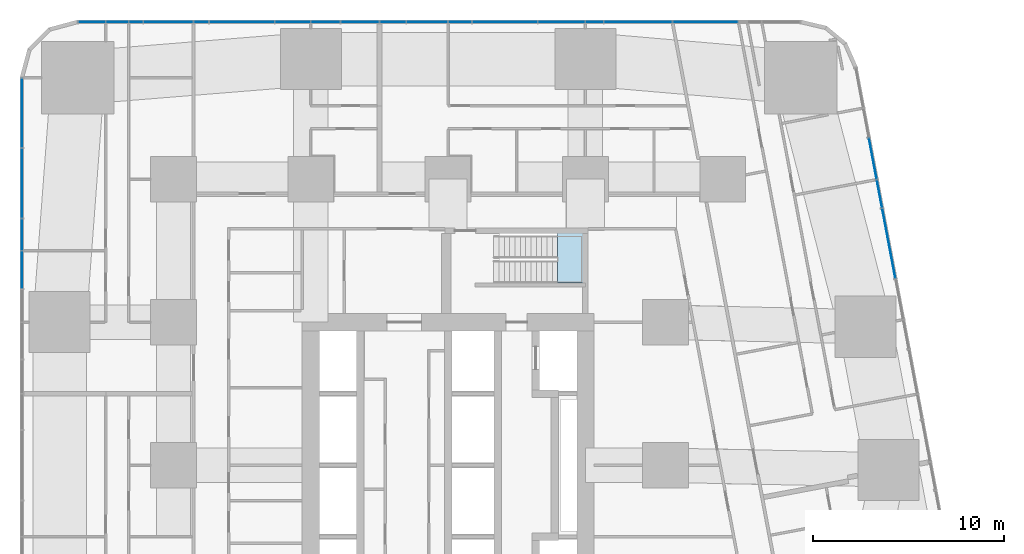
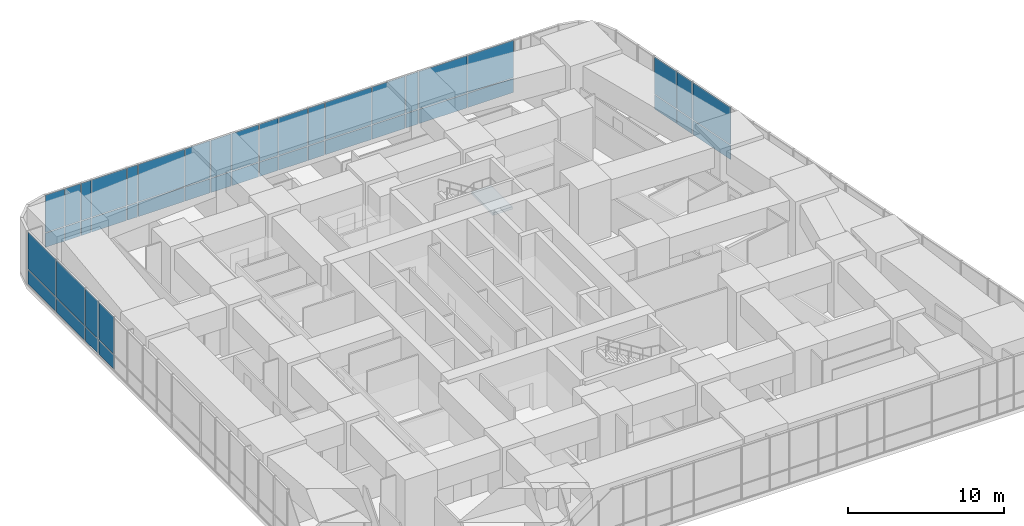
# One storey, part 12 of 22: 48 plates, 1 slab, 4 elements without a shape of their own.
"""IFC4 building model written with IfcOpenShell, lengths in metres."""

from ifc_helpers import new_model, si_unit, direction, frame, origin, origin_2d, place, context, subcontext, project, spatial, polyline, rectangle, outline, extrude, material, layer, layer_set, type_object, element, aggregate, save


model = new_model("IFC4")

# Units and contexts
model_context = context("Model", 3, precision=1e-05, world=origin(), true_north=direction((0.0, 1.0)))
body_context = subcontext(model_context, "Body", "Model", "MODEL_VIEW")
ifc_project = project(units=[si_unit("LENGTHUNIT", "METRE"), si_unit("AREAUNIT", "SQUARE_METRE"), si_unit("VOLUMEUNIT", "CUBIC_METRE"), si_unit("PLANEANGLEUNIT", "RADIAN"), si_unit("MASSUNIT", "GRAM", prefix="KILO")], contexts=[model_context])

# Site, building, storey
site_placement = place(None, origin())
site = spatial("IfcSite", under=ifc_project, at=site_placement, CompositionType="ELEMENT")
building_placement = place(site_placement, origin())
building = spatial("IfcBuilding", under=site, at=building_placement, Name="Sheger Commons Tower", CompositionType="ELEMENT")
storey_placement = place(building_placement, frame((0.0, 0.0, 10.10009765625)))
storey = spatial("IfcBuildingStorey", under=building, at=storey_placement, Name="L02", CompositionType="ELEMENT", Elevation=10.10009765625)

# Curtain wall, plates
ifc_material_1 = material(Name="Black aluminium curtain wall, dark tinted glazing", Category="aluminium")
curtain_wall_type = type_object("IfcCurtainWallType", Name="CURTAIN WALL CW2 HEALTH CENTRE", PredefinedType="USERDEFINED", material=ifc_material_1)
curtain_wall_1_placement = place(storey_placement, origin())
curtain_wall_1 = element("IfcCurtainWall", 1, at=curtain_wall_1_placement, inside=storey, type_object=curtain_wall_type, Name="Curtain Wall Cw2 Health Centre E1 L02", ObjectType="STICK CURTAIN WALL", PredefinedType="USERDEFINED")
ifc_material_2 = material(Name="Dark tinted double glazing", Category="glass")
ifc_layer_1 = layer(ifc_material_2, 0.031982421875)
ifc_layer_set_1 = layer_set([ifc_layer_1], Name="GLAZED PANEL 32")
plate_type = type_object("IfcPlateType", Name="GLAZED PANEL 32", PredefinedType="CURTAIN_PANEL", material=ifc_layer_set_1)
plate_1_placement = place(storey_placement, frame((44.716064453125, 34.1328125, 0.06494140625), z_axis=(0.0, 0.0, 1.0), x_axis=(-0.185609884918, 0.982623514181, 0.0)))
plate_1 = element("IfcPlate", 2, at=plate_1_placement, type_object=plate_type, Name="CW2 panel 15.1", PredefinedType="CURTAIN_PANEL", context=body_context, shape_type="SweptSolid", body=[
    extrude(rectangle(XDim=3.697998046875, YDim=0.031982421875, at=origin_2d()), origin(), (0.0, 0.0, 1.0), 1.1025390625),
])
plate_2_placement = place(storey_placement, frame((44.716064453125, 34.1328125, 1.232421875), z_axis=(0.0, 0.0, 1.0), x_axis=(-0.185609884918, 0.982623514181, 0.0)))
plate_2 = element("IfcPlate", 3, at=plate_2_placement, type_object=plate_type, Name="CW2 panel 15.2", PredefinedType="CURTAIN_PANEL", context=body_context, shape_type="SweptSolid", body=[
    extrude(rectangle(XDim=3.697998046875, YDim=0.031982421875, at=origin_2d()), origin(), (0.0, 0.0, 1.0), 2.902587890625),
])
plate_3_placement = place(storey_placement, frame((44.225341796875, 36.731201171875, 0.06494140625), z_axis=(0.0, 0.0, 1.0), x_axis=(-0.185609884918, 0.982623514181, 0.0)))
plate_3 = element("IfcPlate", 4, at=plate_3_placement, type_object=plate_type, Name="CW2 panel 16.1", PredefinedType="CURTAIN_PANEL", context=body_context, shape_type="SweptSolid", body=[
    extrude(rectangle(XDim=1.4609375, YDim=0.031982421875, at=origin_2d()), origin(), (0.0, 0.0, 1.0), 1.1025390625),
])
plate_4_placement = place(storey_placement, frame((44.225341796875, 36.731201171875, 1.232421875), z_axis=(0.0, 0.0, 1.0), x_axis=(-0.185609884918, 0.982623514181, 0.0)))
plate_4 = element("IfcPlate", 5, at=plate_4_placement, type_object=plate_type, Name="CW2 panel 16.2", PredefinedType="CURTAIN_PANEL", context=body_context, shape_type="SweptSolid", body=[
    extrude(rectangle(XDim=1.4609375, YDim=0.031982421875, at=origin_2d()), origin(), (0.0, 0.0, 1.0), 2.902587890625),
])
plate_5_placement = place(storey_placement, frame((43.876220703125, 38.580078125, 0.06494140625), z_axis=(0.0, 0.0, 1.0), x_axis=(-0.185609884918, 0.982623514181, 0.0)))
plate_5 = element("IfcPlate", 6, at=plate_5_placement, type_object=plate_type, Name="CW2 panel 17.1", PredefinedType="CURTAIN_PANEL", context=body_context, shape_type="SweptSolid", body=[
    extrude(rectangle(XDim=2.172119140625, YDim=0.031982421875, at=origin_2d()), origin(), (0.0, 0.0, 1.0), 1.1025390625),
])
plate_6_placement = place(storey_placement, frame((43.876220703125, 38.580078125, 1.232421875), z_axis=(0.0, 0.0, 1.0), x_axis=(-0.185609884918, 0.982623514181, 0.0)))
plate_6 = element("IfcPlate", 7, at=plate_6_placement, type_object=plate_type, Name="CW2 panel 17.2", PredefinedType="CURTAIN_PANEL", context=body_context, shape_type="SweptSolid", body=[
    extrude(rectangle(XDim=2.172119140625, YDim=0.031982421875, at=origin_2d()), origin(), (0.0, 0.0, 1.0), 2.902587890625),
])
aggregate(curtain_wall_1, [plate_1, plate_2, plate_3, plate_4, plate_5, plate_6])

curtain_wall_2_placement = place(storey_placement, origin())
curtain_wall_2 = element("IfcCurtainWall", 8, at=curtain_wall_2_placement, inside=storey, type_object=curtain_wall_type, Name="Curtain Wall Cw2 Health Centre N1 L02", ObjectType="STICK CURTAIN WALL", PredefinedType="USERDEFINED")
plate_7_placement = place(storey_placement, frame((35.093017578125, 45.75, 0.06494140625), z_axis=(0.0, 0.0, 1.0), x_axis=(-1.0, 0.0, 0.0)))
plate_7 = element("IfcPlate", 9, at=plate_7_placement, type_object=plate_type, Name="CW2 panel 4.1", PredefinedType="CURTAIN_PANEL", context=body_context, shape_type="SweptSolid", body=[
    extrude(rectangle(XDim=3.39501953125, YDim=0.031982421875, at=origin_2d()), origin(), (0.0, 0.0, 1.0), 1.1025390625),
])
plate_8_placement = place(storey_placement, frame((35.093017578125, 45.75, 1.232421875), z_axis=(0.0, 0.0, 1.0), x_axis=(-1.0, 0.0, 0.0)))
plate_8 = element("IfcPlate", 10, at=plate_8_placement, type_object=plate_type, Name="CW2 panel 4.2", PredefinedType="CURTAIN_PANEL", context=body_context, shape_type="SweptSolid", body=[
    extrude(rectangle(XDim=3.39501953125, YDim=0.031982421875, at=origin_2d()), origin(), (0.0, 0.0, 1.0), 2.902587890625),
])
plate_9_placement = place(storey_placement, frame((31.560546875, 45.75, 0.06494140625), z_axis=(0.0, 0.0, 1.0), x_axis=(-1.0, 0.0, 0.0)))
plate_9 = element("IfcPlate", 11, at=plate_9_placement, type_object=plate_type, Name="CW2 panel 5.1", PredefinedType="CURTAIN_PANEL", context=body_context, shape_type="SweptSolid", body=[
    extrude(rectangle(XDim=3.5400390625, YDim=0.031982421875, at=origin_2d()), origin(), (0.0, 0.0, 1.0), 1.1025390625),
])
plate_10_placement = place(storey_placement, frame((31.560546875, 45.75, 1.232421875), z_axis=(0.0, 0.0, 1.0), x_axis=(-1.0, 0.0, 0.0)))
plate_10 = element("IfcPlate", 12, at=plate_10_placement, type_object=plate_type, Name="CW2 panel 5.2", PredefinedType="CURTAIN_PANEL", context=body_context, shape_type="SweptSolid", body=[
    extrude(rectangle(XDim=3.5400390625, YDim=0.031982421875, at=origin_2d()), origin(), (0.0, 0.0, 1.0), 2.902587890625),
])
plate_11_placement = place(storey_placement, frame((29.279052734375, 45.75, 0.06494140625), z_axis=(0.0, 0.0, 1.0), x_axis=(-1.0, 0.0, 0.0)))
plate_11 = element("IfcPlate", 13, at=plate_11_placement, type_object=plate_type, Name="CW2 panel 6.1", PredefinedType="CURTAIN_PANEL", context=body_context, shape_type="SweptSolid", body=[
    extrude(rectangle(XDim=0.89306640625, YDim=0.031982421875, at=origin_2d()), origin(), (0.0, 0.0, 1.0), 1.1025390625),
])
plate_12_placement = place(storey_placement, frame((29.279052734375, 45.75, 1.232421875), z_axis=(0.0, 0.0, 1.0), x_axis=(-1.0, 0.0, 0.0)))
plate_12 = element("IfcPlate", 14, at=plate_12_placement, type_object=plate_type, Name="CW2 panel 6.2", PredefinedType="CURTAIN_PANEL", context=body_context, shape_type="SweptSolid", body=[
    extrude(rectangle(XDim=0.89306640625, YDim=0.031982421875, at=origin_2d()), origin(), (0.0, 0.0, 1.0), 2.902587890625),
])
plate_13_placement = place(storey_placement, frame((27.554443359375, 45.75, 0.06494140625), z_axis=(0.0, 0.0, 1.0), x_axis=(-1.0, 0.0, 0.0)))
plate_13 = element("IfcPlate", 15, at=plate_13_placement, type_object=plate_type, Name="CW2 panel 7.1", PredefinedType="CURTAIN_PANEL", context=body_context, shape_type="SweptSolid", body=[
    extrude(rectangle(XDim=2.426025390625, YDim=0.031982421875, at=origin_2d()), origin(), (0.0, 0.0, 1.0), 1.1025390625),
])
plate_14_placement = place(storey_placement, frame((27.554443359375, 45.75, 1.232421875), z_axis=(0.0, 0.0, 1.0), x_axis=(-1.0, 0.0, 0.0)))
plate_14 = element("IfcPlate", 16, at=plate_14_placement, type_object=plate_type, Name="CW2 panel 7.2", PredefinedType="CURTAIN_PANEL", context=body_context, shape_type="SweptSolid", body=[
    extrude(rectangle(XDim=2.426025390625, YDim=0.031982421875, at=origin_2d()), origin(), (0.0, 0.0, 1.0), 2.902587890625),
])
plate_15_placement = place(storey_placement, frame((24.583984375, 45.75, 0.06494140625), z_axis=(0.0, 0.0, 1.0), x_axis=(-1.0, 0.0, 0.0)))
plate_15 = element("IfcPlate", 17, at=plate_15_placement, type_object=plate_type, Name="CW2 panel 8.1", PredefinedType="CURTAIN_PANEL", context=body_context, shape_type="SweptSolid", body=[
    extrude(rectangle(XDim=3.385009765625, YDim=0.031982421875, at=origin_2d()), origin(), (0.0, 0.0, 1.0), 1.1025390625),
])
plate_16_placement = place(storey_placement, frame((24.583984375, 45.75, 1.232421875), z_axis=(0.0, 0.0, 1.0), x_axis=(-1.0, 0.0, 0.0)))
plate_16 = element("IfcPlate", 18, at=plate_16_placement, type_object=plate_type, Name="CW2 panel 8.2", PredefinedType="CURTAIN_PANEL", context=body_context, shape_type="SweptSolid", body=[
    extrude(rectangle(XDim=3.385009765625, YDim=0.031982421875, at=origin_2d()), origin(), (0.0, 0.0, 1.0), 2.902587890625),
])
plate_17_placement = place(storey_placement, frame((22.2294921875, 45.75, 0.06494140625), z_axis=(0.0, 0.0, 1.0), x_axis=(-1.0, 0.0, 0.0)))
plate_17 = element("IfcPlate", 19, at=plate_17_placement, type_object=plate_type, Name="CW2 panel 9.1", PredefinedType="CURTAIN_PANEL", context=body_context, shape_type="SweptSolid", body=[
    extrude(rectangle(XDim=1.194091796875, YDim=0.031982421875, at=origin_2d()), origin(), (0.0, 0.0, 1.0), 1.1025390625),
])
plate_18_placement = place(storey_placement, frame((22.2294921875, 45.75, 1.232421875), z_axis=(0.0, 0.0, 1.0), x_axis=(-1.0, 0.0, 0.0)))
plate_18 = element("IfcPlate", 20, at=plate_18_placement, type_object=plate_type, Name="CW2 panel 9.2", PredefinedType="CURTAIN_PANEL", context=body_context, shape_type="SweptSolid", body=[
    extrude(rectangle(XDim=1.194091796875, YDim=0.031982421875, at=origin_2d()), origin(), (0.0, 0.0, 1.0), 2.902587890625),
])
plate_19_placement = place(storey_placement, frame((20.5048828125, 45.75, 0.06494140625), z_axis=(0.0, 0.0, 1.0), x_axis=(-1.0, 0.0, 0.0)))
plate_19 = element("IfcPlate", 21, at=plate_19_placement, type_object=plate_type, Name="CW2 panel 10.1", PredefinedType="CURTAIN_PANEL", context=body_context, shape_type="SweptSolid", body=[
    extrude(rectangle(XDim=2.125, YDim=0.031982421875, at=origin_2d()), origin(), (0.0, 0.0, 1.0), 1.1025390625),
])
plate_20_placement = place(storey_placement, frame((20.5048828125, 45.75, 1.232421875), z_axis=(0.0, 0.0, 1.0), x_axis=(-1.0, 0.0, 0.0)))
plate_20 = element("IfcPlate", 22, at=plate_20_placement, type_object=plate_type, Name="CW2 panel 10.2", PredefinedType="CURTAIN_PANEL", context=body_context, shape_type="SweptSolid", body=[
    extrude(rectangle(XDim=2.125, YDim=0.031982421875, at=origin_2d()), origin(), (0.0, 0.0, 1.0), 2.902587890625),
])
plate_21_placement = place(storey_placement, frame((18.705078125, 45.75, 0.06494140625), z_axis=(0.0, 0.0, 1.0), x_axis=(-1.0, 0.0, 0.0)))
plate_21 = element("IfcPlate", 23, at=plate_21_placement, type_object=plate_type, Name="CW2 panel 11.1", PredefinedType="CURTAIN_PANEL", context=body_context, shape_type="SweptSolid", body=[
    extrude(rectangle(XDim=1.344970703125, YDim=0.031982421875, at=origin_2d()), origin(), (0.0, 0.0, 1.0), 1.1025390625),
])
plate_22_placement = place(storey_placement, frame((18.705078125, 45.75, 1.232421875), z_axis=(0.0, 0.0, 1.0), x_axis=(-1.0, 0.0, 0.0)))
plate_22 = element("IfcPlate", 24, at=plate_22_placement, type_object=plate_type, Name="CW2 panel 11.2", PredefinedType="CURTAIN_PANEL", context=body_context, shape_type="SweptSolid", body=[
    extrude(rectangle(XDim=1.344970703125, YDim=0.031982421875, at=origin_2d()), origin(), (0.0, 0.0, 1.0), 2.902587890625),
])
plate_23_placement = place(storey_placement, frame((16.97998046875, 45.75, 0.06494140625), z_axis=(0.0, 0.0, 1.0), x_axis=(-1.0, 0.0, 0.0)))
plate_23 = element("IfcPlate", 25, at=plate_23_placement, type_object=plate_type, Name="CW2 panel 12.1", PredefinedType="CURTAIN_PANEL", context=body_context, shape_type="SweptSolid", body=[
    extrude(rectangle(XDim=1.97509765625, YDim=0.031982421875, at=origin_2d()), origin(), (0.0, 0.0, 1.0), 1.1025390625),
])
plate_24_placement = place(storey_placement, frame((16.97998046875, 45.75, 1.232421875), z_axis=(0.0, 0.0, 1.0), x_axis=(-1.0, 0.0, 0.0)))
plate_24 = element("IfcPlate", 26, at=plate_24_placement, type_object=plate_type, Name="CW2 panel 12.2", PredefinedType="CURTAIN_PANEL", context=body_context, shape_type="SweptSolid", body=[
    extrude(rectangle(XDim=1.97509765625, YDim=0.031982421875, at=origin_2d()), origin(), (0.0, 0.0, 1.0), 2.902587890625),
])
plate_25_placement = place(storey_placement, frame((15.179931640625, 45.75, 0.06494140625), z_axis=(0.0, 0.0, 1.0), x_axis=(-1.0, 0.0, 0.0)))
plate_25 = element("IfcPlate", 27, at=plate_25_placement, type_object=plate_type, Name="CW2 panel 13.1", PredefinedType="CURTAIN_PANEL", context=body_context, shape_type="SweptSolid", body=[
    extrude(rectangle(XDim=1.4951171875, YDim=0.031982421875, at=origin_2d()), origin(), (0.0, 0.0, 1.0), 1.1025390625),
])
plate_26_placement = place(storey_placement, frame((15.179931640625, 45.75, 1.232421875), z_axis=(0.0, 0.0, 1.0), x_axis=(-1.0, 0.0, 0.0)))
plate_26 = element("IfcPlate", 28, at=plate_26_placement, type_object=plate_type, Name="CW2 panel 13.2", PredefinedType="CURTAIN_PANEL", context=body_context, shape_type="SweptSolid", body=[
    extrude(rectangle(XDim=1.4951171875, YDim=0.031982421875, at=origin_2d()), origin(), (0.0, 0.0, 1.0), 2.902587890625),
])
plate_27_placement = place(storey_placement, frame((13.45556640625, 45.75, 0.06494140625), z_axis=(0.0, 0.0, 1.0), x_axis=(-1.0, 0.0, 0.0)))
plate_27 = element("IfcPlate", 29, at=plate_27_placement, type_object=plate_type, Name="CW2 panel 14.1", PredefinedType="CURTAIN_PANEL", context=body_context, shape_type="SweptSolid", body=[
    extrude(rectangle(XDim=1.823974609375, YDim=0.031982421875, at=origin_2d()), origin(), (0.0, 0.0, 1.0), 1.1025390625),
])
plate_28_placement = place(storey_placement, frame((13.45556640625, 45.75, 1.232421875), z_axis=(0.0, 0.0, 1.0), x_axis=(-1.0, 0.0, 0.0)))
plate_28 = element("IfcPlate", 30, at=plate_28_placement, type_object=plate_type, Name="CW2 panel 14.2", PredefinedType="CURTAIN_PANEL", context=body_context, shape_type="SweptSolid", body=[
    extrude(rectangle(XDim=1.823974609375, YDim=0.031982421875, at=origin_2d()), origin(), (0.0, 0.0, 1.0), 2.902587890625),
])
plate_29_placement = place(storey_placement, frame((10.78662109375, 45.75, 0.06494140625), z_axis=(0.0, 0.0, 1.0), x_axis=(-1.0, 0.0, 0.0)))
plate_29 = element("IfcPlate", 31, at=plate_29_placement, type_object=plate_type, Name="CW2 panel 15.1", PredefinedType="CURTAIN_PANEL", context=body_context, shape_type="SweptSolid", body=[
    extrude(rectangle(XDim=3.384033203125, YDim=0.031982421875, at=origin_2d()), origin(), (0.0, 0.0, 1.0), 1.1025390625),
])
plate_30_placement = place(storey_placement, frame((10.78662109375, 45.75, 1.232421875), z_axis=(0.0, 0.0, 1.0), x_axis=(-1.0, 0.0, 0.0)))
plate_30 = element("IfcPlate", 32, at=plate_30_placement, type_object=plate_type, Name="CW2 panel 15.2", PredefinedType="CURTAIN_PANEL", context=body_context, shape_type="SweptSolid", body=[
    extrude(rectangle(XDim=3.384033203125, YDim=0.031982421875, at=origin_2d()), origin(), (0.0, 0.0, 1.0), 2.902587890625),
])
plate_31_placement = place(storey_placement, frame((8.656005859375, 45.75, 0.06494140625), z_axis=(0.0, 0.0, 1.0), x_axis=(-1.0, 0.0, 0.0)))
plate_31 = element("IfcPlate", 33, at=plate_31_placement, type_object=plate_type, Name="CW2 panel 16.1", PredefinedType="CURTAIN_PANEL", context=body_context, shape_type="SweptSolid", body=[
    extrude(rectangle(XDim=0.7470703125, YDim=0.031982421875, at=origin_2d()), origin(), (0.0, 0.0, 1.0), 1.1025390625),
])
plate_32_placement = place(storey_placement, frame((8.656005859375, 45.75, 1.232421875), z_axis=(0.0, 0.0, 1.0), x_axis=(-1.0, 0.0, 0.0)))
plate_32 = element("IfcPlate", 34, at=plate_32_placement, type_object=plate_type, Name="CW2 panel 16.2", PredefinedType="CURTAIN_PANEL", context=body_context, shape_type="SweptSolid", body=[
    extrude(rectangle(XDim=0.7470703125, YDim=0.031982421875, at=origin_2d()), origin(), (0.0, 0.0, 1.0), 2.902587890625),
])
plate_33_placement = place(storey_placement, frame((6.930908203125, 45.75, 0.06494140625), z_axis=(0.0, 0.0, 1.0), x_axis=(-1.0, 0.0, 0.0)))
plate_33 = element("IfcPlate", 35, at=plate_33_placement, type_object=plate_type, Name="CW2 panel 17.1", PredefinedType="CURTAIN_PANEL", context=body_context, shape_type="SweptSolid", body=[
    extrude(rectangle(XDim=2.572998046875, YDim=0.031982421875, at=origin_2d()), origin(), (0.0, 0.0, 1.0), 1.1025390625),
])
plate_34_placement = place(storey_placement, frame((6.930908203125, 45.75, 1.232421875), z_axis=(0.0, 0.0, 1.0), x_axis=(-1.0, 0.0, 0.0)))
plate_34 = element("IfcPlate", 36, at=plate_34_placement, type_object=plate_type, Name="CW2 panel 17.2", PredefinedType="CURTAIN_PANEL", context=body_context, shape_type="SweptSolid", body=[
    extrude(rectangle(XDim=2.572998046875, YDim=0.031982421875, at=origin_2d()), origin(), (0.0, 0.0, 1.0), 2.902587890625),
])
plate_35_placement = place(storey_placement, frame((5.23095703125, 45.75, 0.06494140625), z_axis=(0.0, 0.0, 1.0), x_axis=(-1.0, 0.0, 0.0)))
plate_35 = element("IfcPlate", 37, at=plate_35_placement, type_object=plate_type, Name="CW2 panel 18.1", PredefinedType="CURTAIN_PANEL", context=body_context, shape_type="SweptSolid", body=[
    extrude(rectangle(XDim=0.697021484375, YDim=0.031982421875, at=origin_2d()), origin(), (0.0, 0.0, 1.0), 1.1025390625),
])
plate_36_placement = place(storey_placement, frame((5.23095703125, 45.75, 1.232421875), z_axis=(0.0, 0.0, 1.0), x_axis=(-1.0, 0.0, 0.0)))
plate_36 = element("IfcPlate", 38, at=plate_36_placement, type_object=plate_type, Name="CW2 panel 18.2", PredefinedType="CURTAIN_PANEL", context=body_context, shape_type="SweptSolid", body=[
    extrude(rectangle(XDim=0.697021484375, YDim=0.031982421875, at=origin_2d()), origin(), (0.0, 0.0, 1.0), 2.902587890625),
])
plate_37_placement = place(storey_placement, frame((4.25, 45.75, 0.06494140625), z_axis=(0.0, 0.0, 1.0), x_axis=(-1.0, 0.0, 0.0)))
plate_37 = element("IfcPlate", 39, at=plate_37_placement, type_object=plate_type, Name="CW2 panel 19.1", PredefinedType="CURTAIN_PANEL", context=body_context, shape_type="SweptSolid", body=[
    extrude(rectangle(XDim=1.135009765625, YDim=0.031982421875, at=origin_2d()), origin(), (0.0, 0.0, 1.0), 1.1025390625),
])
plate_38_placement = place(storey_placement, frame((4.25, 45.75, 1.232421875), z_axis=(0.0, 0.0, 1.0), x_axis=(-1.0, 0.0, 0.0)))
plate_38 = element("IfcPlate", 40, at=plate_38_placement, type_object=plate_type, Name="CW2 panel 19.2", PredefinedType="CURTAIN_PANEL", context=body_context, shape_type="SweptSolid", body=[
    extrude(rectangle(XDim=1.135009765625, YDim=0.031982421875, at=origin_2d()), origin(), (0.0, 0.0, 1.0), 2.902587890625),
])
plate_39_placement = place(storey_placement, frame((2.9228515625, 45.75, 0.06494140625), z_axis=(0.0, 0.0, 1.0), x_axis=(-1.0, 0.0, 0.0)))
plate_39 = element("IfcPlate", 41, at=plate_39_placement, type_object=plate_type, Name="CW2 panel 20.1", PredefinedType="CURTAIN_PANEL", context=body_context, shape_type="SweptSolid", body=[
    extrude(rectangle(XDim=1.389404296875, YDim=0.031982421875, at=origin_2d()), origin(), (0.0, 0.0, 1.0), 1.1025390625),
])
plate_40_placement = place(storey_placement, frame((2.9228515625, 45.75, 1.232421875), z_axis=(0.0, 0.0, 1.0), x_axis=(-1.0, 0.0, 0.0)))
plate_40 = element("IfcPlate", 42, at=plate_40_placement, type_object=plate_type, Name="CW2 panel 20.2", PredefinedType="CURTAIN_PANEL", context=body_context, shape_type="SweptSolid", body=[
    extrude(rectangle(XDim=1.389404296875, YDim=0.031982421875, at=origin_2d()), origin(), (0.0, 0.0, 1.0), 2.902587890625),
])
aggregate(curtain_wall_2, [plate_7, plate_8, plate_9, plate_10, plate_11, plate_12, plate_13, plate_14, plate_15, plate_16, plate_17, plate_18, plate_19, plate_20, plate_21, plate_22, plate_23, plate_24, plate_25, plate_26, plate_27, plate_28, plate_29, plate_30, plate_31, plate_32, plate_33, plate_34, plate_35, plate_36, plate_37, plate_38, plate_39, plate_40])

curtain_wall_3_placement = place(storey_placement, origin())
curtain_wall_3 = element("IfcCurtainWall", 43, at=curtain_wall_3_placement, inside=storey, type_object=curtain_wall_type, Name="Curtain Wall Cw2 Health Centre W1 L02", ObjectType="STICK CURTAIN WALL", PredefinedType="USERDEFINED")
plate_41_placement = place(storey_placement, frame((-0.75, 40.9716796875, 0.06494140625), z_axis=(0.0, 0.0, 1.0), x_axis=(0.0, -1.0, 0.0)))
plate_41 = element("IfcPlate", 44, at=plate_41_placement, type_object=plate_type, Name="CW2 panel 1.1", PredefinedType="CURTAIN_PANEL", context=body_context, shape_type="SweptSolid", body=[
    extrude(rectangle(XDim=3.6005859375, YDim=0.031982421875, at=origin_2d()), origin(), (0.0, 0.0, 1.0), 1.1025390625),
])
plate_42_placement = place(storey_placement, frame((-0.75, 40.9716796875, 1.232421875), z_axis=(0.0, 0.0, 1.0), x_axis=(0.0, -1.0, 0.0)))
plate_42 = element("IfcPlate", 45, at=plate_42_placement, type_object=plate_type, Name="CW2 panel 1.2", PredefinedType="CURTAIN_PANEL", context=body_context, shape_type="SweptSolid", body=[
    extrude(rectangle(XDim=3.6005859375, YDim=0.031982421875, at=origin_2d()), origin(), (0.0, 0.0, 1.0), 2.902587890625),
])
plate_43_placement = place(storey_placement, frame((-0.75, 37.29052734375, 0.06494140625), z_axis=(0.0, 0.0, 1.0), x_axis=(0.0, -1.0, 0.0)))
plate_43 = element("IfcPlate", 46, at=plate_43_placement, type_object=plate_type, Name="CW2 panel 2.1", PredefinedType="CURTAIN_PANEL", context=body_context, shape_type="SweptSolid", body=[
    extrude(rectangle(XDim=3.632080078125, YDim=0.031982421875, at=origin_2d()), origin(), (0.0, 0.0, 1.0), 1.1025390625),
])
plate_44_placement = place(storey_placement, frame((-0.75, 37.29052734375, 1.232421875), z_axis=(0.0, 0.0, 1.0), x_axis=(0.0, -1.0, 0.0)))
plate_44 = element("IfcPlate", 47, at=plate_44_placement, type_object=plate_type, Name="CW2 panel 2.2", PredefinedType="CURTAIN_PANEL", context=body_context, shape_type="SweptSolid", body=[
    extrude(rectangle(XDim=3.632080078125, YDim=0.031982421875, at=origin_2d()), origin(), (0.0, 0.0, 1.0), 2.902587890625),
])
plate_45_placement = place(storey_placement, frame((-0.75, 34.595947265625, 0.06494140625), z_axis=(0.0, 0.0, 1.0), x_axis=(0.0, -1.0, 0.0)))
plate_45 = element("IfcPlate", 48, at=plate_45_placement, type_object=plate_type, Name="CW2 panel 3.1", PredefinedType="CURTAIN_PANEL", context=body_context, shape_type="SweptSolid", body=[
    extrude(rectangle(XDim=1.626953125, YDim=0.031982421875, at=origin_2d()), origin(), (0.0, 0.0, 1.0), 1.1025390625),
])
plate_46_placement = place(storey_placement, frame((-0.75, 34.595947265625, 1.232421875), z_axis=(0.0, 0.0, 1.0), x_axis=(0.0, -1.0, 0.0)))
plate_46 = element("IfcPlate", 49, at=plate_46_placement, type_object=plate_type, Name="CW2 panel 3.2", PredefinedType="CURTAIN_PANEL", context=body_context, shape_type="SweptSolid", body=[
    extrude(rectangle(XDim=1.626953125, YDim=0.031982421875, at=origin_2d()), origin(), (0.0, 0.0, 1.0), 2.902587890625),
])
plate_47_placement = place(storey_placement, frame((-0.75, 32.7470703125, 0.06494140625), z_axis=(0.0, 0.0, 1.0), x_axis=(0.0, -1.0, 0.0)))
plate_47 = element("IfcPlate", 50, at=plate_47_placement, type_object=plate_type, Name="CW2 panel 4.1", PredefinedType="CURTAIN_PANEL", context=body_context, shape_type="SweptSolid", body=[
    extrude(rectangle(XDim=1.94091796875, YDim=0.031982421875, at=origin_2d()), origin(), (0.0, 0.0, 1.0), 1.1025390625),
])
plate_48_placement = place(storey_placement, frame((-0.75, 32.7470703125, 1.232421875), z_axis=(0.0, 0.0, 1.0), x_axis=(0.0, -1.0, 0.0)))
plate_48 = element("IfcPlate", 51, at=plate_48_placement, type_object=plate_type, Name="CW2 panel 4.2", PredefinedType="CURTAIN_PANEL", context=body_context, shape_type="SweptSolid", body=[
    extrude(rectangle(XDim=1.94091796875, YDim=0.031982421875, at=origin_2d()), origin(), (0.0, 0.0, 1.0), 2.902587890625),
])
aggregate(curtain_wall_3, [plate_41, plate_42, plate_43, plate_44, plate_45, plate_46, plate_47, plate_48])

# Stair, slab
ifc_material_3 = material(Name="Concrete C35/45", Category="concrete")
stair_type = type_object("IfcStairType", Name="HALF-TURN STAIR 1200 RISE 4500", PredefinedType="HALF_TURN_STAIR", material=ifc_material_3)
stair_placement = place(storey_placement, origin())
stair = element("IfcStair", 52, at=stair_placement, inside=storey, type_object=stair_type, Name="Stair S2 L02", PredefinedType="HALF_TURN_STAIR")
ifc_material_4 = material(Name="Concrete C35/45", Category="concrete")
ifc_layer_2 = layer(ifc_material_4, 0.199951171875)
ifc_layer_set_2 = layer_set([ifc_layer_2], Name="STAIR LANDING 200")
slab_type = type_object("IfcSlabType", Name="STAIR LANDING 200", PredefinedType="LANDING", material=ifc_layer_set_2)
slab_placement = place(storey_placement, frame((0.0, 0.0, 2.0498046875)))
slab = element("IfcSlab", 53, at=slab_placement, type_object=slab_type, Name="S2 landing 1", PredefinedType="LANDING", context=body_context, shape_type="SweptSolid", body=[
    extrude(outline(polyline([(27.35009765625, 32.050048828125), (28.800048828125, 32.050048828125), (28.800048828125, 34.800048828125), (27.35009765625, 34.800048828125), (27.35009765625, 32.050048828125)])), origin(), (0.0, 0.0, 1.0), 0.2001953125),
])
aggregate(stair, [slab])

save(model, "model.ifc")
